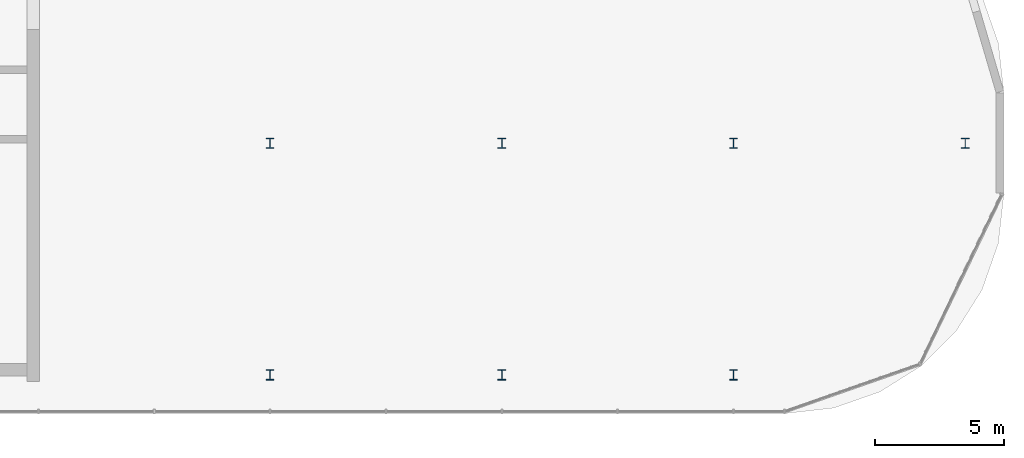
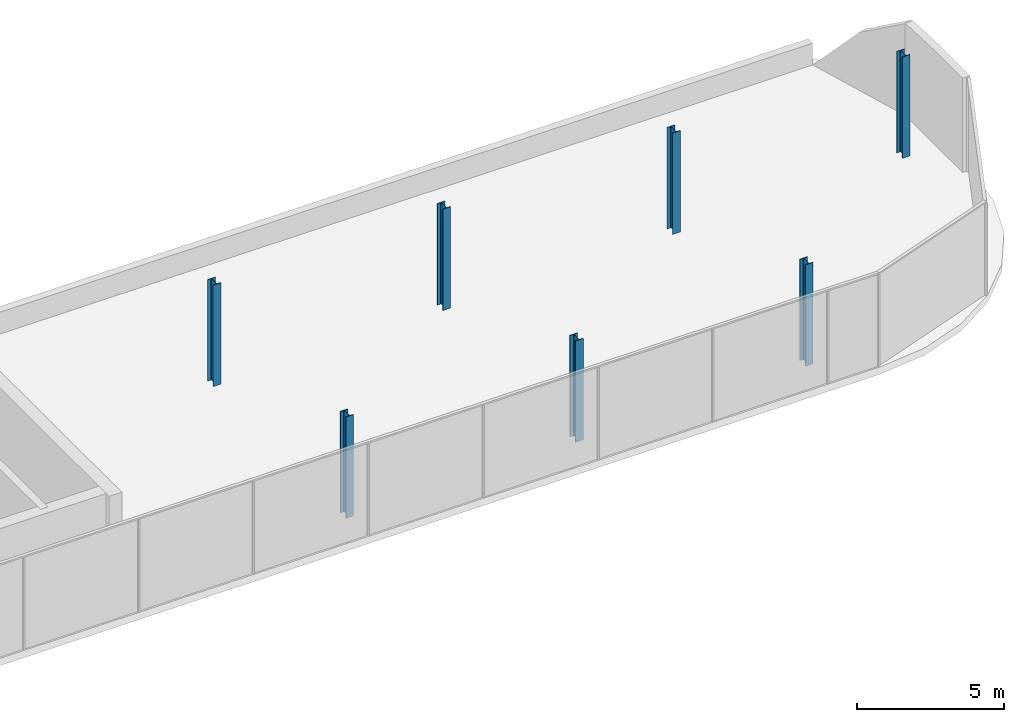
# One storey, part 1 of 5: 7 columns.
"""IFC4 building model written with IfcOpenShell, lengths in metres."""

from ifc_helpers import new_model, si_unit, direction, frame, origin, origin_2d, place, context, subcontext, project, spatial, i_section, extrude, material, material_profile, profile_set, type_object, element, save


model = new_model("IFC4")

# Units and contexts
model_context = context("Model", 3, precision=1e-05, world=origin(), true_north=direction((0.0, 1.0)))
body_context = subcontext(model_context, "Body", "Model", "MODEL_VIEW")
ifc_project = project(units=[si_unit("LENGTHUNIT", "METRE"), si_unit("AREAUNIT", "SQUARE_METRE"), si_unit("VOLUMEUNIT", "CUBIC_METRE"), si_unit("PLANEANGLEUNIT", "RADIAN"), si_unit("MASSUNIT", "GRAM", prefix="KILO")], contexts=[model_context])

# Site, building, storey
site_placement = place(None, origin())
site = spatial("IfcSite", under=ifc_project, at=site_placement, CompositionType="ELEMENT")
building_placement = place(site_placement, origin())
building = spatial("IfcBuilding", under=site, at=building_placement, Name="Ogive Portal Towers", CompositionType="ELEMENT")
storey_placement = place(building_placement, frame((0.0, 0.0, 285.5)))
storey = spatial("IfcBuildingStorey", under=building, at=storey_placement, Name="L69", CompositionType="ELEMENT", Elevation=285.5)

# Columns
ifc_material = material(Name="Steel S355", Category="steel")
ifc_material_profile = material_profile(ifc_material, i_section(OverallWidth=0.300048828125, OverallDepth=0.39990234375, WebThickness=0.013427734375, FlangeThickness=0.02392578125, FilletRadius=0.027099609375, at=origin_2d()), Name="HEB 400")
ifc_profile_set = profile_set([ifc_material_profile], Name="Steel S355")
column_type = type_object("IfcColumnType", Name="CROWN COLUMN HEB 400", PredefinedType="COLUMN", material=ifc_profile_set)
for number, where, z_axis, x_axis, name in (
    (1, (67.5, 21.5, 0.0), (0.0, 0.0, 1.0), (1.0, 0.0, 0.0), "Crown column L69"),
    (2, (67.5, 30.5, 0.0), (0.0, 0.0, 1.0), (1.0, 0.0, 0.0), "Crown column L69"),
    (3, (76.5, 21.5, 0.0), (0.0, 0.0, 1.0), (1.0, 0.0, 0.0), "Crown column L69"),
    (4, (76.5, 30.5, 0.0), (0.0, 0.0, 1.0), (1.0, 0.0, 0.0), "Crown column L69"),
    (5, (85.5, 21.5, 0.0), (0.0, 0.0, 1.0), (1.0, 0.0, 0.0), "Crown column L69"),
    (6, (85.5, 30.5, 0.0), (0.0, 0.0, 1.0), (1.0, 0.0, 0.0), "Crown column L69"),
    (7, (94.5, 30.5, 0.0), (0.0, 0.0, 1.0), (1.0, 0.0, 0.0), "Crown column L69"),
):
    element("IfcColumn", number, at=place(storey_placement, frame(where, z_axis=z_axis, x_axis=x_axis)), inside=storey, type_object=column_type, Name=name, PredefinedType="COLUMN", context=body_context, shape_type="SweptSolid", body=[
        extrude(i_section(OverallWidth=0.300048828125, OverallDepth=0.39990234375, WebThickness=0.013427734375, FlangeThickness=0.02392578125, FilletRadius=0.027099609375, at=origin_2d()), origin(), (0.0, 0.0, 1.0), 4.199951171875),
    ])

save(model, "model.ifc")
